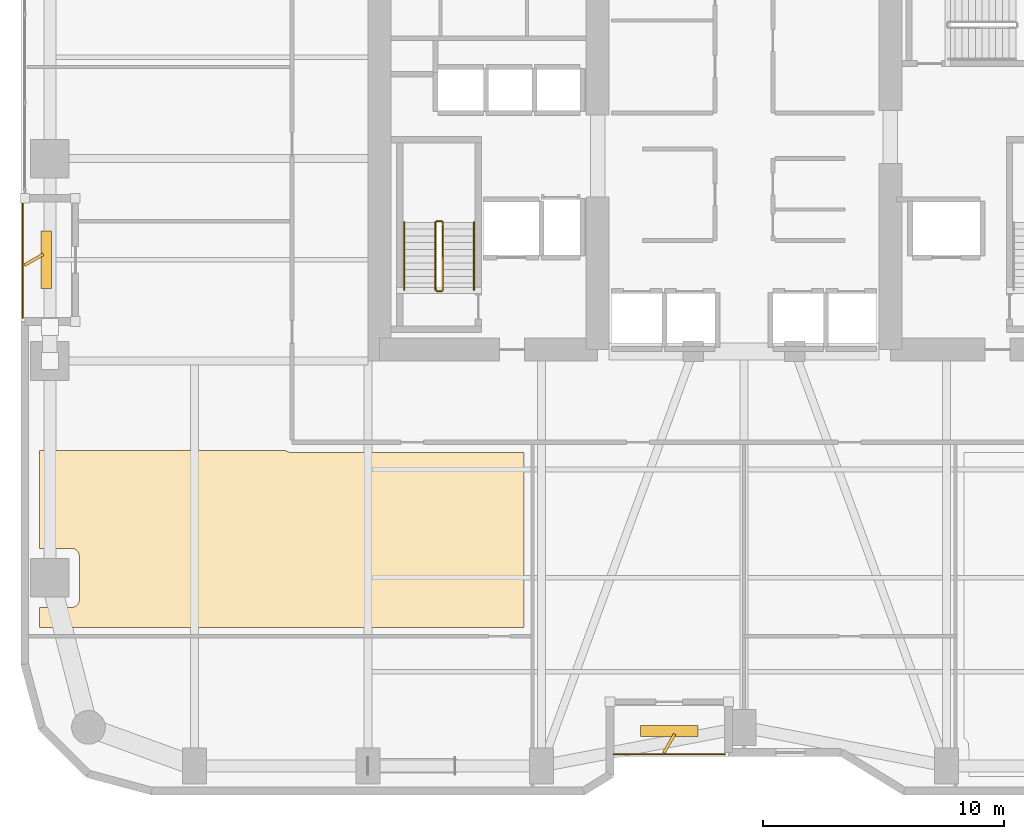
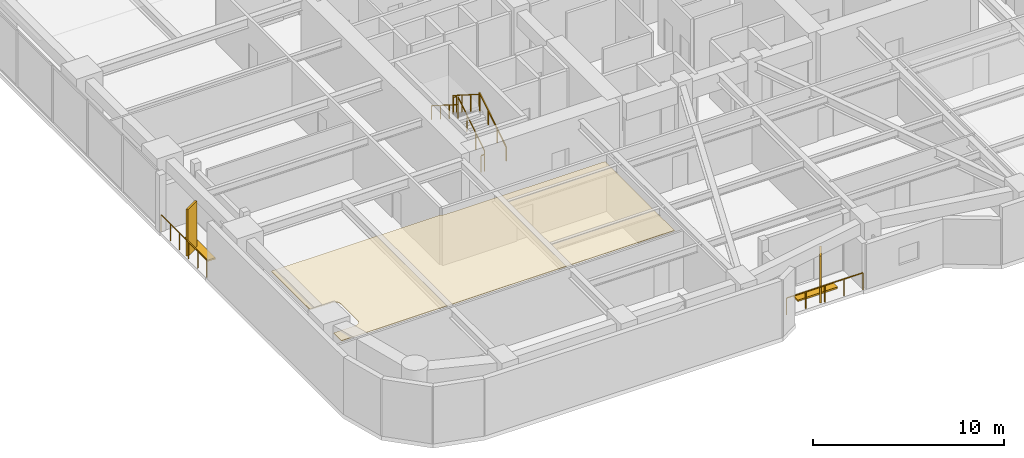
# One storey, part 22 of 24: 8 railings, 4 shading devices, 1 covering.
"""IFC4 building model written with IfcOpenShell, lengths in metres."""

from ifc_helpers import new_model, si_unit, direction, frame, origin, origin_2d, place, context, subcontext, project, spatial, polyline, rectangle, outline, extrude, material, layer, layer_set, type_object, element, save


model = new_model("IFC4")

# Units and contexts
model_context = context("Model", 3, precision=1e-05, world=origin(), true_north=direction((0.0, 1.0)))
body_context = subcontext(model_context, "Body", "Model", "MODEL_VIEW")
ifc_project = project(units=[si_unit("LENGTHUNIT", "METRE"), si_unit("AREAUNIT", "SQUARE_METRE"), si_unit("VOLUMEUNIT", "CUBIC_METRE"), si_unit("PLANEANGLEUNIT", "RADIAN"), si_unit("MASSUNIT", "GRAM", prefix="KILO")], contexts=[model_context])

# Site, building, storey
site_placement = place(None, origin())
site = spatial("IfcSite", under=ifc_project, at=site_placement, CompositionType="ELEMENT")
building_placement = place(site_placement, origin())
building = spatial("IfcBuilding", under=site, at=building_placement, Name="Kiyonajd Concourse Tower", CompositionType="ELEMENT")
storey_placement = place(building_placement, frame((0.0, 0.0, 89.699951171875)))
storey = spatial("IfcBuildingStorey", under=building, at=storey_placement, Name="L23", CompositionType="ELEMENT", Elevation=89.699951171875)

# Covering
ifc_material_1 = material(Name="Natural Oak Acoustic Timber Veneer", Category="wood")
ifc_layer = layer(ifc_material_1, 0.0400390625)
ifc_layer_set = layer_set([ifc_layer], Name="Natural Oak Acoustic Timber Veneer")
covering_type = type_object("IfcCoveringType", Name="CV-CLG-ACST", PredefinedType="CEILING", material=ifc_layer_set)
covering_placement = place(storey_placement, frame((0.0, 0.0, 3.4599609375)))
element("IfcCovering", 1, at=covering_placement, inside=storey, type_object=covering_type, Name="L23-41 Room Acoustic Ceiling", PredefinedType="CEILING", context=body_context, shape_type="SweptSolid", body=[
    extrude(outline(polyline([(29.001953125, 23.8798828125), (29.056884765625, 23.845947265625), (29.1201171875, 23.820068359375), (29.25, 23.800048828125), (38.8701171875, 23.800048828125), (38.8701171875, 16.550048828125), (18.77001953125, 16.550048828125), (18.77001953125, 17.3701171875), (20.080078125, 17.3701171875), (20.14794921875, 17.376953125), (20.2451171875, 17.410888671875), (20.302001953125, 17.448974609375), (20.35107421875, 17.498046875), (20.388916015625, 17.554931640625), (20.4150390625, 17.617919921875), (20.429931640625, 17.719970703125), (20.429931640625, 19.47998046875), (20.4150390625, 19.58203125), (20.388916015625, 19.64501953125), (20.35107421875, 19.701904296875), (20.302001953125, 19.7509765625), (20.2451171875, 19.7890625), (20.181884765625, 19.81494140625), (20.114013671875, 19.827880859375), (18.77001953125, 19.830078125), (18.77001953125, 23.8798828125), (29.001953125, 23.8798828125)])), origin(), (0.0, 0.0, 1.0), 0.0400390625),
])

# Railings
ifc_material_2 = material(Name="Thermally Broken Anodised Aluminium", Category="aluminium")
railing_type_1 = type_object("IfcRailingType", Name="RL-GRD-LOG", PredefinedType="GUARDRAIL", material=ifc_material_2)
railing_1_placement = place(storey_placement, frame((42.60009765625, 11.280029296875, 0.0)))
element("IfcRailing", 2, at=railing_1_placement, inside=storey, type_object=railing_type_1, Name="L23 Engawa Loggia Perimeter Guard LOG-S", PredefinedType="GUARDRAIL", context=body_context, shape_type="SweptSolid", body=[
    extrude(rectangle(XDim=0.048095703125, YDim=0.048095703125, at=origin_2d()), frame((0.0, 0.0, 1.076171875), z_axis=(1.0, 0.0, 0.0), x_axis=(0.0, 1.0, 0.0)), (0.0, 0.0, 1.0), 4.599853515625),
    extrude(rectangle(XDim=0.0419921875, YDim=0.0419921875, at=origin_2d()), origin(), (0.0, 0.0, 1.0), 1.052001953125),
    extrude(rectangle(XDim=0.0419921875, YDim=0.0419921875, at=origin_2d()), frame((1.14990234375, 0.0, 0.0)), (0.0, 0.0, 1.0), 1.052001953125),
    extrude(rectangle(XDim=0.0419921875, YDim=0.0419921875, at=origin_2d()), frame((2.2998046875, 0.0, 0.0)), (0.0, 0.0, 1.0), 1.052001953125),
    extrude(rectangle(XDim=0.0419921875, YDim=0.0419921875, at=origin_2d()), frame((3.449951171875, 0.0, 0.0)), (0.0, 0.0, 1.0), 1.052001953125),
    extrude(rectangle(XDim=0.0419921875, YDim=0.0419921875, at=origin_2d()), frame((4.599853515625, 0.0, 0.0)), (0.0, 0.0, 1.0), 1.052001953125),
])
railing_2_placement = place(storey_placement, frame((18.080078125, 34.199951171875, 0.0)))
element("IfcRailing", 3, at=railing_2_placement, inside=storey, type_object=railing_type_1, Name="L23 Engawa Loggia Perimeter Guard LOG-W", PredefinedType="GUARDRAIL", context=body_context, shape_type="SweptSolid", body=[
    extrude(rectangle(XDim=0.048095703125, YDim=0.048095703125, at=origin_2d()), frame((0.0, 0.0, 1.076171875), z_axis=(0.0, -1.0, 0.0), x_axis=(1.0, 0.0, 0.0)), (0.0, 0.0, 1.0), 4.800048828125),
    extrude(rectangle(XDim=0.0419921875, YDim=0.0419921875, at=origin_2d()), origin(), (0.0, 0.0, 1.0), 1.052001953125),
    extrude(rectangle(XDim=0.0419921875, YDim=0.0419921875, at=origin_2d()), frame((0.0, -0.9599609375, 0.0)), (0.0, 0.0, 1.0), 1.052001953125),
    extrude(rectangle(XDim=0.0419921875, YDim=0.0419921875, at=origin_2d()), frame((0.0, -1.919921875, 0.0)), (0.0, 0.0, 1.0), 1.052001953125),
    extrude(rectangle(XDim=0.0419921875, YDim=0.0419921875, at=origin_2d()), frame((0.0, -2.880126953125, 0.0)), (0.0, 0.0, 1.0), 1.052001953125),
    extrude(rectangle(XDim=0.0419921875, YDim=0.0419921875, at=origin_2d()), frame((0.0, -3.840087890625, 0.0)), (0.0, 0.0, 1.0), 1.052001953125),
    extrude(rectangle(XDim=0.0419921875, YDim=0.0419921875, at=origin_2d()), frame((0.0, -4.800048828125, 0.0)), (0.0, 0.0, 1.0), 1.052001953125),
])
ifc_material_3 = material(Name="Steel ASTM A500 Grade C", Category="steel")
railing_type_2 = type_object("IfcRailingType", Name="RL-GRD-STR", PredefinedType="GUARDRAIL", material=ifc_material_3)
railing_3_placement = place(storey_placement, frame((35.5, 30.550048828125, 0.17724609375)))
element("IfcRailing", 4, at=railing_3_placement, inside=storey, type_object=railing_type_2, Name="L23 ST1 stair guard 1", PredefinedType="GUARDRAIL", context=body_context, shape_type="SweptSolid", body=[
    extrude(rectangle(XDim=0.048095703125, YDim=0.048095703125, at=origin_2d()), frame((0.0, 0.0, 1.076171875), z_axis=(0.0, 0.844908973607, 0.534910110503), x_axis=(-1.0, 0.0, 0.0)), (0.0, 0.0, 1.0), 3.31396484375),
    extrude(rectangle(XDim=0.0419921875, YDim=0.0419921875, at=origin_2d()), origin(), (0.0, 0.0, 1.0), 1.052001953125),
    extrude(rectangle(XDim=0.0419921875, YDim=0.0419921875, at=origin_2d()), frame((0.0, 0.933349609375, 0.5908203125)), (0.0, 0.0, 1.0), 1.052001953125),
    extrude(rectangle(XDim=0.0419921875, YDim=0.0419921875, at=origin_2d()), frame((0.0, 1.86669921875, 1.181884765625)), (0.0, 0.0, 1.0), 1.052001953125),
    extrude(rectangle(XDim=0.0419921875, YDim=0.0419921875, at=origin_2d()), frame((0.0, 2.800048828125, 1.772705078125)), (0.0, 0.0, 1.0), 1.052001953125),
])
railing_4_placement = place(storey_placement, frame((35.449951171875, 33.39990234375, 1.949951171875)))
element("IfcRailing", 5, at=railing_4_placement, inside=storey, type_object=railing_type_2, Name="L23 ST1 stair guard 2", PredefinedType="GUARDRAIL", context=body_context, shape_type="SweptSolid", body=[
    extrude(rectangle(XDim=0.048095703125, YDim=0.048095703125, at=origin_2d()), frame((0.0, 0.0, 1.076171875), z_axis=(-1.0, 0.0, 0.0), x_axis=(0.0, -1.0, 0.0)), (0.0, 0.0, 1.0), 0.199951171875),
    extrude(rectangle(XDim=0.0419921875, YDim=0.0419921875, at=origin_2d()), origin(), (0.0, 0.0, 1.0), 1.052001953125),
    extrude(rectangle(XDim=0.0419921875, YDim=0.0419921875, at=origin_2d()), frame((-0.199951171875, 0.0, 0.0)), (0.0, 0.0, 1.0), 1.052001953125),
])
railing_5_placement = place(storey_placement, frame((35.199951171875, 33.35009765625, 2.12744140625)))
element("IfcRailing", 6, at=railing_5_placement, inside=storey, type_object=railing_type_2, Name="L23 ST1 stair guard 3", PredefinedType="GUARDRAIL", context=body_context, shape_type="SweptSolid", body=[
    extrude(rectangle(XDim=0.048095703125, YDim=0.048095703125, at=origin_2d()), frame((0.0, 0.0, 1.076171875), z_axis=(0.0, -0.844908973607, 0.534910110503), x_axis=(1.0, 0.0, 0.0)), (0.0, 0.0, 1.0), 3.31396484375),
    extrude(rectangle(XDim=0.0419921875, YDim=0.0419921875, at=origin_2d()), origin(), (0.0, 0.0, 1.0), 1.052001953125),
    extrude(rectangle(XDim=0.0419921875, YDim=0.0419921875, at=origin_2d()), frame((0.0, -0.933349609375, 0.5908203125)), (0.0, 0.0, 1.0), 1.052001953125),
    extrude(rectangle(XDim=0.0419921875, YDim=0.0419921875, at=origin_2d()), frame((0.0, -1.86669921875, 1.181884765625)), (0.0, 0.0, 1.0), 1.052001953125),
    extrude(rectangle(XDim=0.0419921875, YDim=0.0419921875, at=origin_2d()), frame((0.0, -2.800048828125, 1.772705078125)), (0.0, 0.0, 1.0), 1.052001953125),
])
railing_6_placement = place(storey_placement, frame((35.449951171875, 30.5, 0.0)))
element("IfcRailing", 7, at=railing_6_placement, inside=storey, type_object=railing_type_2, Name="L23 ST1 stair guard 4", PredefinedType="GUARDRAIL", context=body_context, shape_type="SweptSolid", body=[
    extrude(rectangle(XDim=0.048095703125, YDim=0.048095703125, at=origin_2d()), frame((0.0, 0.0, 1.076171875), z_axis=(-1.0, 0.0, 0.0), x_axis=(0.0, -1.0, 0.0)), (0.0, 0.0, 1.0), 0.199951171875),
    extrude(rectangle(XDim=0.0419921875, YDim=0.0419921875, at=origin_2d()), origin(), (0.0, 0.0, 1.0), 1.052001953125),
    extrude(rectangle(XDim=0.0419921875, YDim=0.0419921875, at=origin_2d()), frame((-0.199951171875, 0.0, 0.0)), (0.0, 0.0, 1.0), 1.052001953125),
])
ifc_material_4 = material(Name="Brushed Stainless Steel Cab Assembly", Category="steel")
railing_type_3 = type_object("IfcRailingType", Name="RL-HND-900", PredefinedType="HANDRAIL", material=ifc_material_4)
railing_7_placement = place(storey_placement, frame((36.800048828125, 30.550048828125, 0.17724609375)))
element("IfcRailing", 8, at=railing_7_placement, inside=storey, type_object=railing_type_3, Name="L23 ST1 stair handrail 1", PredefinedType="HANDRAIL", context=body_context, shape_type="SweptSolid", body=[
    extrude(rectangle(XDim=0.048095703125, YDim=0.048095703125, at=origin_2d()), frame((0.0, 0.0, 0.8759765625), z_axis=(0.0, 0.844908973607, 0.534910110503), x_axis=(-1.0, 0.0, 0.0)), (0.0, 0.0, 1.0), 3.31396484375),
    extrude(rectangle(XDim=0.0419921875, YDim=0.0419921875, at=origin_2d()), origin(), (0.0, 0.0, 1.0), 0.851806640625),
    extrude(rectangle(XDim=0.0419921875, YDim=0.0419921875, at=origin_2d()), frame((0.0, 0.933349609375, 0.5908203125)), (0.0, 0.0, 1.0), 0.851806640625),
    extrude(rectangle(XDim=0.0419921875, YDim=0.0419921875, at=origin_2d()), frame((0.0, 1.86669921875, 1.181884765625)), (0.0, 0.0, 1.0), 0.851806640625),
    extrude(rectangle(XDim=0.0419921875, YDim=0.0419921875, at=origin_2d()), frame((0.0, 2.800048828125, 1.772705078125)), (0.0, 0.0, 1.0), 0.851806640625),
])
railing_8_placement = place(storey_placement, frame((33.89990234375, 33.35009765625, 2.12744140625)))
element("IfcRailing", 9, at=railing_8_placement, inside=storey, type_object=railing_type_3, Name="L23 ST1 stair handrail 2", PredefinedType="HANDRAIL", context=body_context, shape_type="SweptSolid", body=[
    extrude(rectangle(XDim=0.048095703125, YDim=0.048095703125, at=origin_2d()), frame((0.0, 0.0, 0.8759765625), z_axis=(0.0, -0.844908973607, 0.534910110503), x_axis=(1.0, 0.0, 0.0)), (0.0, 0.0, 1.0), 3.31396484375),
    extrude(rectangle(XDim=0.0419921875, YDim=0.0419921875, at=origin_2d()), origin(), (0.0, 0.0, 1.0), 0.851806640625),
    extrude(rectangle(XDim=0.0419921875, YDim=0.0419921875, at=origin_2d()), frame((0.0, -0.933349609375, 0.5908203125)), (0.0, 0.0, 1.0), 0.851806640625),
    extrude(rectangle(XDim=0.0419921875, YDim=0.0419921875, at=origin_2d()), frame((0.0, -1.86669921875, 1.181884765625)), (0.0, 0.0, 1.0), 0.851806640625),
    extrude(rectangle(XDim=0.0419921875, YDim=0.0419921875, at=origin_2d()), frame((0.0, -2.800048828125, 1.772705078125)), (0.0, 0.0, 1.0), 0.851806640625),
])

# Shading devices
ifc_material_5 = material(Name="Precast concrete C50/60", Category="concrete")
shading_device_type_1 = type_object("IfcShadingDeviceType", Name="SH-FIN-900", PredefinedType="USERDEFINED", material=ifc_material_5)
for number, where, z_axis, x_axis, name in (
    (10, (44.89990234375, 11.72998046875, 0.0), (0.0, 0.0, 1.0), (0.5, 0.866025403784, 0.0), "L23 Angled Koshi Solar Fin LOG-S"),
    (11, (18.530029296875, 31.800048828125, 0.0), (0.0, 0.0, 1.0), (0.866025403784, 0.5, 0.0), "L23 Angled Koshi Solar Fin LOG-W"),
):
    element("IfcShadingDevice", number, at=place(storey_placement, frame(where, z_axis=z_axis, x_axis=x_axis)), inside=storey, type_object=shading_device_type_1, Name=name, ObjectType="FIN", PredefinedType="USERDEFINED", context=body_context, shape_type="SweptSolid", body=[
        extrude(rectangle(XDim=0.89990234375, YDim=0.1201171875, at=origin_2d()), origin(), (0.0, 0.0, 1.0), 3.0),
    ])
shading_device_type_2 = type_object("IfcShadingDeviceType", Name="SH-LVR-600", PredefinedType="JALOUSIE", material=ifc_material_2)
for number, where, z_axis, x_axis, name in (
    (12, (44.89990234375, 12.25, 0.0), (0.0, 0.0, 1.0), (1.0, 0.0, 0.0), "L23 Loggia Threshold Louver LOG-S"),
    (13, (19.050048828125, 31.800048828125, 0.0), (0.0, 0.0, 1.0), (0.0, 1.0, 0.0), "L23 Loggia Threshold Louver LOG-W"),
):
    element("IfcShadingDevice", number, at=place(storey_placement, frame(where, z_axis=z_axis, x_axis=x_axis)), inside=storey, type_object=shading_device_type_2, Name=name, PredefinedType="JALOUSIE", context=body_context, shape_type="SweptSolid", body=[
        extrude(rectangle(XDim=2.39990234375, YDim=0.449951171875, at=origin_2d()), origin(), (0.0, 0.0, 1.0), 0.10009765625),
    ])

save(model, "model.ifc")
